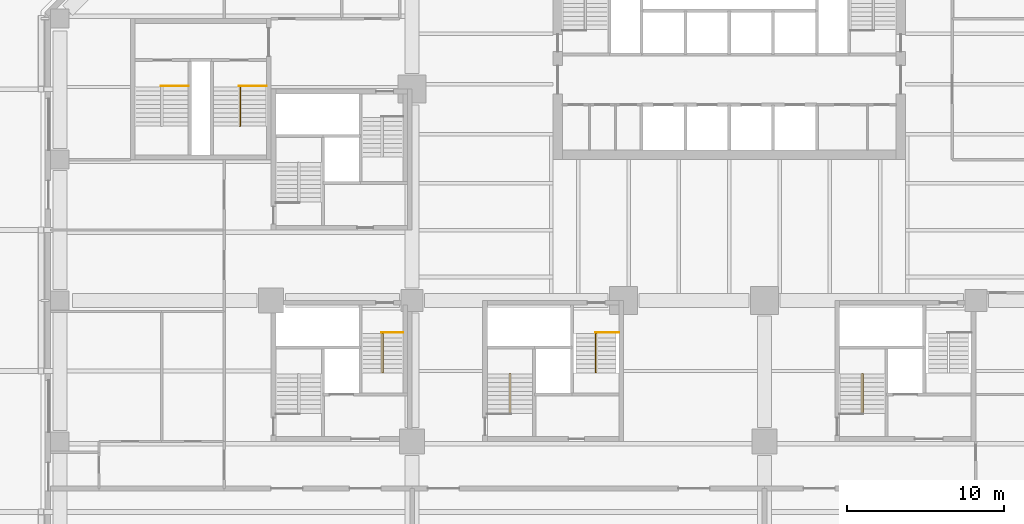
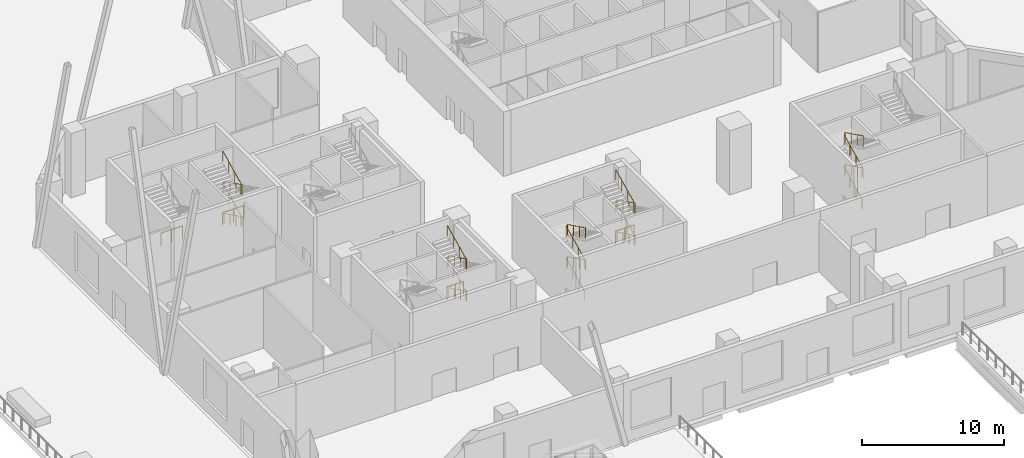
# One storey, part 31 of 33: 9 railings.
"""IFC4 building model written with IfcOpenShell, lengths in metres."""

from ifc_helpers import new_model, si_unit, direction, frame, origin, origin_2d, place, context, subcontext, project, spatial, circle, extrude, material, type_object, element, save


model = new_model("IFC4")

# Units and contexts
model_context = context("Model", 3, precision=1e-05, world=origin(), true_north=direction((0.0, 1.0)))
body_context = subcontext(model_context, "Body", "Model", "MODEL_VIEW")
ifc_project = project(units=[si_unit("LENGTHUNIT", "METRE"), si_unit("AREAUNIT", "SQUARE_METRE"), si_unit("VOLUMEUNIT", "CUBIC_METRE"), si_unit("PLANEANGLEUNIT", "RADIAN"), si_unit("MASSUNIT", "GRAM", prefix="KILO")], contexts=[model_context])

# Site, building, storey
site_placement = place(None, origin())
site = spatial("IfcSite", under=ifc_project, at=site_placement, CompositionType="ELEMENT")
building_placement = place(site_placement, origin())
building = spatial("IfcBuilding", under=site, at=building_placement, Name="Quoin Convention Tower", CompositionType="ELEMENT")
storey_placement = place(building_placement, frame((0.0, 0.0, 8.0)))
storey = spatial("IfcBuildingStorey", under=building, at=storey_placement, Name="L01", CompositionType="ELEMENT", Elevation=8.0)

# Railings
ifc_material = material(Name="Stainless steel", Category="steel")
railing_type_1 = type_object("IfcRailingType", Name="Stair handrail 900", PredefinedType="HANDRAIL", material=ifc_material)
railing_1_placement = place(storey_placement, frame((42.205078125, 33.300048828125, 0.137451171875)))
element("IfcRailing", 1, at=railing_1_placement, inside=storey, type_object=railing_type_1, Name="SD5 handrail 1", PredefinedType="HANDRAIL", context=body_context, shape_type="SweptSolid", body=[
    extrude(circle(Radius=0.02392578125, at=origin_2d()), frame((0.0, 0.0, 0.8759765625), z_axis=(0.0, 0.897604431175, 0.440801866075), x_axis=(-1.0, 0.0, 0.0)), (0.0, 0.0, 1.0), 2.807373046875),
    extrude(circle(Radius=0.02392578125, at=origin_2d()), frame((0.0, 2.52001953125, 2.11328125), z_axis=(0.547129183664, 0.0, 0.837048180443), x_axis=(0.0, 1.0, 0.0)), (0.0, 0.0, 1.0), 0.164306640625),
    extrude(circle(Radius=0.02392578125, at=origin_2d()), frame((0.08984375, 2.52001953125, 2.2509765625), z_axis=(0.0, -0.897604431175, 0.440801866075), x_axis=(1.0, 0.0, 0.0)), (0.0, 0.0, 1.0), 2.807373046875),
    extrude(circle(Radius=0.02392578125, at=origin_2d()), frame((0.08984375, 0.0, 3.48828125), z_axis=(-0.547129183664, 0.0, 0.837048180443), x_axis=(0.0, -1.0, 0.0)), (0.0, 0.0, 1.0), 0.164306640625),
    extrude(circle(Radius=0.02392578125, at=origin_2d()), frame((0.0, 0.0, 3.6259765625), z_axis=(0.0, 0.897604431175, 0.440801866075), x_axis=(-1.0, 0.0, 0.0)), (0.0, 0.0, 1.0), 2.807373046875),
    extrude(circle(Radius=0.02392578125, at=origin_2d()), frame((0.0, 2.52001953125, 4.86328125), z_axis=(0.547129183664, 0.0, 0.837048180443), x_axis=(0.0, 1.0, 0.0)), (0.0, 0.0, 1.0), 0.164306640625),
    extrude(circle(Radius=0.02392578125, at=origin_2d()), frame((0.08984375, 2.52001953125, 5.0009765625), z_axis=(0.0, -0.897604431175, 0.440801866075), x_axis=(1.0, 0.0, 0.0)), (0.0, 0.0, 1.0), 2.807373046875),
    extrude(circle(Radius=0.02099609375, at=origin_2d()), origin(), (0.0, 0.0, 1.0), 0.851806640625),
    extrude(circle(Radius=0.02099609375, at=origin_2d()), frame((0.0, 0.840087890625, 0.41259765625)), (0.0, 0.0, 1.0), 0.851806640625),
    extrude(circle(Radius=0.02099609375, at=origin_2d()), frame((0.0, 1.679931640625, 0.824951171875)), (0.0, 0.0, 1.0), 0.851806640625),
    extrude(circle(Radius=0.02099609375, at=origin_2d()), frame((0.0, 2.52001953125, 1.237548828125)), (0.0, 0.0, 1.0), 0.851806640625),
    extrude(circle(Radius=0.02099609375, at=origin_2d()), frame((0.08984375, 2.52001953125, 1.375)), (0.0, 0.0, 1.0), 0.851806640625),
    extrude(circle(Radius=0.02099609375, at=origin_2d()), frame((0.08984375, 1.679931640625, 1.78759765625)), (0.0, 0.0, 1.0), 0.851806640625),
    extrude(circle(Radius=0.02099609375, at=origin_2d()), frame((0.08984375, 0.840087890625, 2.199951171875)), (0.0, 0.0, 1.0), 0.851806640625),
    extrude(circle(Radius=0.02099609375, at=origin_2d()), frame((0.08984375, 0.0, 2.612548828125)), (0.0, 0.0, 1.0), 0.851806640625),
    extrude(circle(Radius=0.02099609375, at=origin_2d()), frame((0.0, 0.0, 2.75)), (0.0, 0.0, 1.0), 0.851806640625),
    extrude(circle(Radius=0.02099609375, at=origin_2d()), frame((0.0, 0.840087890625, 3.16259765625)), (0.0, 0.0, 1.0), 0.851806640625),
    extrude(circle(Radius=0.02099609375, at=origin_2d()), frame((0.0, 1.679931640625, 3.574951171875)), (0.0, 0.0, 1.0), 0.851806640625),
    extrude(circle(Radius=0.02099609375, at=origin_2d()), frame((0.0, 2.52001953125, 3.987548828125)), (0.0, 0.0, 1.0), 0.851806640625),
    extrude(circle(Radius=0.02099609375, at=origin_2d()), frame((0.08984375, 2.52001953125, 4.125)), (0.0, 0.0, 1.0), 0.851806640625),
    extrude(circle(Radius=0.02099609375, at=origin_2d()), frame((0.08984375, 1.679931640625, 4.53759765625)), (0.0, 0.0, 1.0), 0.851806640625),
    extrude(circle(Radius=0.02099609375, at=origin_2d()), frame((0.08984375, 0.840087890625, 4.949951171875)), (0.0, 0.0, 1.0), 0.851806640625),
    extrude(circle(Radius=0.02099609375, at=origin_2d()), frame((0.08984375, 0.0, 5.362548828125)), (0.0, 0.0, 1.0), 0.851806640625),
])
railing_2_placement = place(storey_placement, frame((47.794921875, 38.39990234375, 0.137451171875)))
element("IfcRailing", 2, at=railing_2_placement, inside=storey, type_object=railing_type_1, Name="SD6 handrail 1", PredefinedType="HANDRAIL", context=body_context, shape_type="SweptSolid", body=[
    extrude(circle(Radius=0.02392578125, at=origin_2d()), frame((0.0, 0.0, 0.8759765625), z_axis=(0.0, -0.897604431175, 0.440801866075), x_axis=(1.0, 0.0, 0.0)), (0.0, 0.0, 1.0), 2.807373046875),
    extrude(circle(Radius=0.02392578125, at=origin_2d()), frame((0.0, -2.52001953125, 2.11328125), z_axis=(-0.547129183664, 0.0, 0.837048180443), x_axis=(0.0, -1.0, 0.0)), (0.0, 0.0, 1.0), 0.164306640625),
    extrude(circle(Radius=0.02392578125, at=origin_2d()), frame((-0.08984375, -2.52001953125, 2.2509765625), z_axis=(0.0, 0.897604431175, 0.440801866075), x_axis=(-1.0, 0.0, 0.0)), (0.0, 0.0, 1.0), 2.807373046875),
    extrude(circle(Radius=0.02392578125, at=origin_2d()), frame((-0.08984375, 0.0, 3.48828125), z_axis=(0.547129183664, 0.0, 0.837048180443), x_axis=(0.0, 1.0, 0.0)), (0.0, 0.0, 1.0), 0.164306640625),
    extrude(circle(Radius=0.02392578125, at=origin_2d()), frame((0.0, 0.0, 3.6259765625), z_axis=(0.0, -0.897604431175, 0.440801866075), x_axis=(1.0, 0.0, 0.0)), (0.0, 0.0, 1.0), 2.807373046875),
    extrude(circle(Radius=0.02392578125, at=origin_2d()), frame((0.0, -2.52001953125, 4.86328125), z_axis=(-0.547129183664, 0.0, 0.837048180443), x_axis=(0.0, -1.0, 0.0)), (0.0, 0.0, 1.0), 0.164306640625),
    extrude(circle(Radius=0.02392578125, at=origin_2d()), frame((-0.08984375, -2.52001953125, 5.0009765625), z_axis=(0.0, 0.897604431175, 0.440801866075), x_axis=(-1.0, 0.0, 0.0)), (0.0, 0.0, 1.0), 2.807373046875),
    extrude(circle(Radius=0.02099609375, at=origin_2d()), origin(), (0.0, 0.0, 1.0), 0.851806640625),
    extrude(circle(Radius=0.02099609375, at=origin_2d()), frame((0.0, -0.840087890625, 0.41259765625)), (0.0, 0.0, 1.0), 0.851806640625),
    extrude(circle(Radius=0.02099609375, at=origin_2d()), frame((0.0, -1.679931640625, 0.824951171875)), (0.0, 0.0, 1.0), 0.851806640625),
    extrude(circle(Radius=0.02099609375, at=origin_2d()), frame((0.0, -2.52001953125, 1.237548828125)), (0.0, 0.0, 1.0), 0.851806640625),
    extrude(circle(Radius=0.02099609375, at=origin_2d()), frame((-0.08984375, -2.52001953125, 1.375)), (0.0, 0.0, 1.0), 0.851806640625),
    extrude(circle(Radius=0.02099609375, at=origin_2d()), frame((-0.08984375, -1.679931640625, 1.78759765625)), (0.0, 0.0, 1.0), 0.851806640625),
    extrude(circle(Radius=0.02099609375, at=origin_2d()), frame((-0.08984375, -0.840087890625, 2.199951171875)), (0.0, 0.0, 1.0), 0.851806640625),
    extrude(circle(Radius=0.02099609375, at=origin_2d()), frame((-0.08984375, 0.0, 2.612548828125)), (0.0, 0.0, 1.0), 0.851806640625),
    extrude(circle(Radius=0.02099609375, at=origin_2d()), frame((0.0, 0.0, 2.75)), (0.0, 0.0, 1.0), 0.851806640625),
    extrude(circle(Radius=0.02099609375, at=origin_2d()), frame((0.0, -0.840087890625, 3.16259765625)), (0.0, 0.0, 1.0), 0.851806640625),
    extrude(circle(Radius=0.02099609375, at=origin_2d()), frame((0.0, -1.679931640625, 3.574951171875)), (0.0, 0.0, 1.0), 0.851806640625),
    extrude(circle(Radius=0.02099609375, at=origin_2d()), frame((0.0, -2.52001953125, 3.987548828125)), (0.0, 0.0, 1.0), 0.851806640625),
    extrude(circle(Radius=0.02099609375, at=origin_2d()), frame((-0.08984375, -2.52001953125, 4.125)), (0.0, 0.0, 1.0), 0.851806640625),
    extrude(circle(Radius=0.02099609375, at=origin_2d()), frame((-0.08984375, -1.679931640625, 4.53759765625)), (0.0, 0.0, 1.0), 0.851806640625),
    extrude(circle(Radius=0.02099609375, at=origin_2d()), frame((-0.08984375, -0.840087890625, 4.949951171875)), (0.0, 0.0, 1.0), 0.851806640625),
    extrude(circle(Radius=0.02099609375, at=origin_2d()), frame((-0.08984375, 0.0, 5.362548828125)), (0.0, 0.0, 1.0), 0.851806640625),
])
railing_3_placement = place(storey_placement, frame((34.14501953125, 38.39990234375, 0.137451171875)))
element("IfcRailing", 3, at=railing_3_placement, inside=storey, type_object=railing_type_1, Name="SD8 handrail 1", PredefinedType="HANDRAIL", context=body_context, shape_type="SweptSolid", body=[
    extrude(circle(Radius=0.02392578125, at=origin_2d()), frame((0.0, 0.0, 0.8759765625), z_axis=(0.0, -0.897604431175, 0.440801866075), x_axis=(1.0, 0.0, 0.0)), (0.0, 0.0, 1.0), 2.807373046875),
    extrude(circle(Radius=0.02392578125, at=origin_2d()), frame((0.0, -2.52001953125, 2.11328125), z_axis=(-0.548169613923, 0.0, 0.836367188723), x_axis=(0.0, -1.0, 0.0)), (0.0, 0.0, 1.0), 0.164306640625),
    extrude(circle(Radius=0.02392578125, at=origin_2d()), frame((-0.090087890625, -2.52001953125, 2.2509765625), z_axis=(0.0, 0.897604431175, 0.440801866075), x_axis=(-1.0, 0.0, 0.0)), (0.0, 0.0, 1.0), 2.807373046875),
    extrude(circle(Radius=0.02392578125, at=origin_2d()), frame((-0.090087890625, 0.0, 3.48828125), z_axis=(0.548169613923, 0.0, 0.836367188723), x_axis=(0.0, 1.0, 0.0)), (0.0, 0.0, 1.0), 0.164306640625),
    extrude(circle(Radius=0.02392578125, at=origin_2d()), frame((0.0, 0.0, 3.6259765625), z_axis=(0.0, -0.897604431175, 0.440801866075), x_axis=(1.0, 0.0, 0.0)), (0.0, 0.0, 1.0), 2.807373046875),
    extrude(circle(Radius=0.02392578125, at=origin_2d()), frame((0.0, -2.52001953125, 4.86328125), z_axis=(-0.548169613923, 0.0, 0.836367188723), x_axis=(0.0, -1.0, 0.0)), (0.0, 0.0, 1.0), 0.164306640625),
    extrude(circle(Radius=0.02392578125, at=origin_2d()), frame((-0.090087890625, -2.52001953125, 5.0009765625), z_axis=(0.0, 0.897604431175, 0.440801866075), x_axis=(-1.0, 0.0, 0.0)), (0.0, 0.0, 1.0), 2.807373046875),
    extrude(circle(Radius=0.02099609375, at=origin_2d()), origin(), (0.0, 0.0, 1.0), 0.851806640625),
    extrude(circle(Radius=0.02099609375, at=origin_2d()), frame((0.0, -0.840087890625, 0.41259765625)), (0.0, 0.0, 1.0), 0.851806640625),
    extrude(circle(Radius=0.02099609375, at=origin_2d()), frame((0.0, -1.679931640625, 0.824951171875)), (0.0, 0.0, 1.0), 0.851806640625),
    extrude(circle(Radius=0.02099609375, at=origin_2d()), frame((0.0, -2.52001953125, 1.237548828125)), (0.0, 0.0, 1.0), 0.851806640625),
    extrude(circle(Radius=0.02099609375, at=origin_2d()), frame((-0.090087890625, -2.52001953125, 1.375)), (0.0, 0.0, 1.0), 0.851806640625),
    extrude(circle(Radius=0.02099609375, at=origin_2d()), frame((-0.090087890625, -1.679931640625, 1.78759765625)), (0.0, 0.0, 1.0), 0.851806640625),
    extrude(circle(Radius=0.02099609375, at=origin_2d()), frame((-0.090087890625, -0.840087890625, 2.199951171875)), (0.0, 0.0, 1.0), 0.851806640625),
    extrude(circle(Radius=0.02099609375, at=origin_2d()), frame((-0.090087890625, 0.0, 2.612548828125)), (0.0, 0.0, 1.0), 0.851806640625),
    extrude(circle(Radius=0.02099609375, at=origin_2d()), frame((0.0, 0.0, 2.75)), (0.0, 0.0, 1.0), 0.851806640625),
    extrude(circle(Radius=0.02099609375, at=origin_2d()), frame((0.0, -0.840087890625, 3.16259765625)), (0.0, 0.0, 1.0), 0.851806640625),
    extrude(circle(Radius=0.02099609375, at=origin_2d()), frame((0.0, -1.679931640625, 3.574951171875)), (0.0, 0.0, 1.0), 0.851806640625),
    extrude(circle(Radius=0.02099609375, at=origin_2d()), frame((0.0, -2.52001953125, 3.987548828125)), (0.0, 0.0, 1.0), 0.851806640625),
    extrude(circle(Radius=0.02099609375, at=origin_2d()), frame((-0.090087890625, -2.52001953125, 4.125)), (0.0, 0.0, 1.0), 0.851806640625),
    extrude(circle(Radius=0.02099609375, at=origin_2d()), frame((-0.090087890625, -1.679931640625, 4.53759765625)), (0.0, 0.0, 1.0), 0.851806640625),
    extrude(circle(Radius=0.02099609375, at=origin_2d()), frame((-0.090087890625, -0.840087890625, 4.949951171875)), (0.0, 0.0, 1.0), 0.851806640625),
    extrude(circle(Radius=0.02099609375, at=origin_2d()), frame((-0.090087890625, 0.0, 5.362548828125)), (0.0, 0.0, 1.0), 0.851806640625),
])
railing_4_placement = place(storey_placement, frame((64.705078125, 33.300048828125, 0.137451171875)))
element("IfcRailing", 4, at=railing_4_placement, inside=storey, type_object=railing_type_1, Name="SD9 handrail 1", PredefinedType="HANDRAIL", context=body_context, shape_type="SweptSolid", body=[
    extrude(circle(Radius=0.02392578125, at=origin_2d()), frame((0.0, 0.0, 0.8759765625), z_axis=(0.0, 0.897604431175, 0.440801866075), x_axis=(-1.0, 0.0, 0.0)), (0.0, 0.0, 1.0), 2.807373046875),
    extrude(circle(Radius=0.02392578125, at=origin_2d()), frame((0.0, 2.52001953125, 2.11328125), z_axis=(0.547129183664, 0.0, 0.837048180443), x_axis=(0.0, 1.0, 0.0)), (0.0, 0.0, 1.0), 0.164306640625),
    extrude(circle(Radius=0.02392578125, at=origin_2d()), frame((0.08984375, 2.52001953125, 2.2509765625), z_axis=(0.0, -0.897604431175, 0.440801866075), x_axis=(1.0, 0.0, 0.0)), (0.0, 0.0, 1.0), 2.807373046875),
    extrude(circle(Radius=0.02392578125, at=origin_2d()), frame((0.08984375, 0.0, 3.48828125), z_axis=(-0.547129183664, 0.0, 0.837048180443), x_axis=(0.0, -1.0, 0.0)), (0.0, 0.0, 1.0), 0.164306640625),
    extrude(circle(Radius=0.02392578125, at=origin_2d()), frame((0.0, 0.0, 3.6259765625), z_axis=(0.0, 0.897604431175, 0.440801866075), x_axis=(-1.0, 0.0, 0.0)), (0.0, 0.0, 1.0), 2.807373046875),
    extrude(circle(Radius=0.02392578125, at=origin_2d()), frame((0.0, 2.52001953125, 4.86328125), z_axis=(0.547129183664, 0.0, 0.837048180443), x_axis=(0.0, 1.0, 0.0)), (0.0, 0.0, 1.0), 0.164306640625),
    extrude(circle(Radius=0.02392578125, at=origin_2d()), frame((0.08984375, 2.52001953125, 5.0009765625), z_axis=(0.0, -0.897604431175, 0.440801866075), x_axis=(1.0, 0.0, 0.0)), (0.0, 0.0, 1.0), 2.807373046875),
    extrude(circle(Radius=0.02099609375, at=origin_2d()), origin(), (0.0, 0.0, 1.0), 0.851806640625),
    extrude(circle(Radius=0.02099609375, at=origin_2d()), frame((0.0, 0.840087890625, 0.41259765625)), (0.0, 0.0, 1.0), 0.851806640625),
    extrude(circle(Radius=0.02099609375, at=origin_2d()), frame((0.0, 1.679931640625, 0.824951171875)), (0.0, 0.0, 1.0), 0.851806640625),
    extrude(circle(Radius=0.02099609375, at=origin_2d()), frame((0.0, 2.52001953125, 1.237548828125)), (0.0, 0.0, 1.0), 0.851806640625),
    extrude(circle(Radius=0.02099609375, at=origin_2d()), frame((0.08984375, 2.52001953125, 1.375)), (0.0, 0.0, 1.0), 0.851806640625),
    extrude(circle(Radius=0.02099609375, at=origin_2d()), frame((0.08984375, 1.679931640625, 1.78759765625)), (0.0, 0.0, 1.0), 0.851806640625),
    extrude(circle(Radius=0.02099609375, at=origin_2d()), frame((0.08984375, 0.840087890625, 2.199951171875)), (0.0, 0.0, 1.0), 0.851806640625),
    extrude(circle(Radius=0.02099609375, at=origin_2d()), frame((0.08984375, 0.0, 2.612548828125)), (0.0, 0.0, 1.0), 0.851806640625),
    extrude(circle(Radius=0.02099609375, at=origin_2d()), frame((0.0, 0.0, 2.75)), (0.0, 0.0, 1.0), 0.851806640625),
    extrude(circle(Radius=0.02099609375, at=origin_2d()), frame((0.0, 0.840087890625, 3.16259765625)), (0.0, 0.0, 1.0), 0.851806640625),
    extrude(circle(Radius=0.02099609375, at=origin_2d()), frame((0.0, 1.679931640625, 3.574951171875)), (0.0, 0.0, 1.0), 0.851806640625),
    extrude(circle(Radius=0.02099609375, at=origin_2d()), frame((0.0, 2.52001953125, 3.987548828125)), (0.0, 0.0, 1.0), 0.851806640625),
    extrude(circle(Radius=0.02099609375, at=origin_2d()), frame((0.08984375, 2.52001953125, 4.125)), (0.0, 0.0, 1.0), 0.851806640625),
    extrude(circle(Radius=0.02099609375, at=origin_2d()), frame((0.08984375, 1.679931640625, 4.53759765625)), (0.0, 0.0, 1.0), 0.851806640625),
    extrude(circle(Radius=0.02099609375, at=origin_2d()), frame((0.08984375, 0.840087890625, 4.949951171875)), (0.0, 0.0, 1.0), 0.851806640625),
    extrude(circle(Radius=0.02099609375, at=origin_2d()), frame((0.08984375, 0.0, 5.362548828125)), (0.0, 0.0, 1.0), 0.851806640625),
])
railing_5_placement = place(storey_placement, frame((25.044921875, 54.14990234375, 0.137451171875)))
element("IfcRailing", 5, at=railing_5_placement, inside=storey, type_object=railing_type_1, Name="SD12 handrail 1", PredefinedType="HANDRAIL", context=body_context, shape_type="SweptSolid", body=[
    extrude(circle(Radius=0.02392578125, at=origin_2d()), frame((0.0, 0.0, 0.8759765625), z_axis=(0.0, -0.897604431175, 0.440801866075), x_axis=(1.0, 0.0, 0.0)), (0.0, 0.0, 1.0), 2.807373046875),
    extrude(circle(Radius=0.02392578125, at=origin_2d()), frame((0.0, -2.52001953125, 2.11328125), z_axis=(-0.547129183664, 0.0, 0.837048180443), x_axis=(0.0, -1.0, 0.0)), (0.0, 0.0, 1.0), 0.164306640625),
    extrude(circle(Radius=0.02392578125, at=origin_2d()), frame((-0.08984375, -2.52001953125, 2.2509765625), z_axis=(0.0, 0.897604431175, 0.440801866075), x_axis=(-1.0, 0.0, 0.0)), (0.0, 0.0, 1.0), 2.807373046875),
    extrude(circle(Radius=0.02392578125, at=origin_2d()), frame((-0.08984375, 0.0, 3.48828125), z_axis=(0.547129183664, 0.0, 0.837048180443), x_axis=(0.0, 1.0, 0.0)), (0.0, 0.0, 1.0), 0.164306640625),
    extrude(circle(Radius=0.02392578125, at=origin_2d()), frame((0.0, 0.0, 3.6259765625), z_axis=(0.0, -0.897604431175, 0.440801866075), x_axis=(1.0, 0.0, 0.0)), (0.0, 0.0, 1.0), 2.807373046875),
    extrude(circle(Radius=0.02392578125, at=origin_2d()), frame((0.0, -2.52001953125, 4.86328125), z_axis=(-0.547129183664, 0.0, 0.837048180443), x_axis=(0.0, -1.0, 0.0)), (0.0, 0.0, 1.0), 0.164306640625),
    extrude(circle(Radius=0.02392578125, at=origin_2d()), frame((-0.08984375, -2.52001953125, 5.0009765625), z_axis=(0.0, 0.897604431175, 0.440801866075), x_axis=(-1.0, 0.0, 0.0)), (0.0, 0.0, 1.0), 2.807373046875),
    extrude(circle(Radius=0.02099609375, at=origin_2d()), origin(), (0.0, 0.0, 1.0), 0.851806640625),
    extrude(circle(Radius=0.02099609375, at=origin_2d()), frame((0.0, -0.840087890625, 0.41259765625)), (0.0, 0.0, 1.0), 0.851806640625),
    extrude(circle(Radius=0.02099609375, at=origin_2d()), frame((0.0, -1.679931640625, 0.824951171875)), (0.0, 0.0, 1.0), 0.851806640625),
    extrude(circle(Radius=0.02099609375, at=origin_2d()), frame((0.0, -2.52001953125, 1.237548828125)), (0.0, 0.0, 1.0), 0.851806640625),
    extrude(circle(Radius=0.02099609375, at=origin_2d()), frame((-0.08984375, -2.52001953125, 1.375)), (0.0, 0.0, 1.0), 0.851806640625),
    extrude(circle(Radius=0.02099609375, at=origin_2d()), frame((-0.08984375, -1.679931640625, 1.78759765625)), (0.0, 0.0, 1.0), 0.851806640625),
    extrude(circle(Radius=0.02099609375, at=origin_2d()), frame((-0.08984375, -0.840087890625, 2.199951171875)), (0.0, 0.0, 1.0), 0.851806640625),
    extrude(circle(Radius=0.02099609375, at=origin_2d()), frame((-0.08984375, 0.0, 2.612548828125)), (0.0, 0.0, 1.0), 0.851806640625),
    extrude(circle(Radius=0.02099609375, at=origin_2d()), frame((0.0, 0.0, 2.75)), (0.0, 0.0, 1.0), 0.851806640625),
    extrude(circle(Radius=0.02099609375, at=origin_2d()), frame((0.0, -0.840087890625, 3.16259765625)), (0.0, 0.0, 1.0), 0.851806640625),
    extrude(circle(Radius=0.02099609375, at=origin_2d()), frame((0.0, -1.679931640625, 3.574951171875)), (0.0, 0.0, 1.0), 0.851806640625),
    extrude(circle(Radius=0.02099609375, at=origin_2d()), frame((0.0, -2.52001953125, 3.987548828125)), (0.0, 0.0, 1.0), 0.851806640625),
    extrude(circle(Radius=0.02099609375, at=origin_2d()), frame((-0.08984375, -2.52001953125, 4.125)), (0.0, 0.0, 1.0), 0.851806640625),
    extrude(circle(Radius=0.02099609375, at=origin_2d()), frame((-0.08984375, -1.679931640625, 4.53759765625)), (0.0, 0.0, 1.0), 0.851806640625),
    extrude(circle(Radius=0.02099609375, at=origin_2d()), frame((-0.08984375, -0.840087890625, 4.949951171875)), (0.0, 0.0, 1.0), 0.851806640625),
    extrude(circle(Radius=0.02099609375, at=origin_2d()), frame((-0.08984375, 0.0, 5.362548828125)), (0.0, 0.0, 1.0), 0.851806640625),
])
railing_type_2 = type_object("IfcRailingType", Name="Stair top guard 1100", PredefinedType="GUARDRAIL", material=ifc_material)
railing_6_placement = place(storey_placement, frame((49.199951171875, 38.449951171875, 0.0)))
element("IfcRailing", 6, at=railing_6_placement, inside=storey, type_object=railing_type_2, Name="SD6 top guard", PredefinedType="GUARDRAIL", context=body_context, shape_type="SweptSolid", body=[
    extrude(circle(Radius=0.02392578125, at=origin_2d()), frame((0.0, 0.0, 1.076171875), z_axis=(-1.0, 0.0, 0.0), x_axis=(0.0, -1.0, 0.0)), (0.0, 0.0, 1.0), 1.494873046875),
    extrude(circle(Radius=0.02099609375, at=origin_2d()), origin(), (0.0, 0.0, 1.0), 1.052001953125),
    extrude(circle(Radius=0.02099609375, at=origin_2d()), frame((-0.74755859375, 0.0, 0.0)), (0.0, 0.0, 1.0), 1.052001953125),
    extrude(circle(Radius=0.02099609375, at=origin_2d()), frame((-1.494873046875, 0.0, 0.0)), (0.0, 0.0, 1.0), 1.052001953125),
])
railing_7_placement = place(storey_placement, frame((35.39990234375, 38.449951171875, 0.0)))
element("IfcRailing", 7, at=railing_7_placement, inside=storey, type_object=railing_type_2, Name="SD8 top guard", PredefinedType="GUARDRAIL", context=body_context, shape_type="SweptSolid", body=[
    extrude(circle(Radius=0.02392578125, at=origin_2d()), frame((0.0, 0.0, 1.076171875), z_axis=(-1.0, 0.0, 0.0), x_axis=(0.0, -1.0, 0.0)), (0.0, 0.0, 1.0), 1.344970703125),
    extrude(circle(Radius=0.02099609375, at=origin_2d()), origin(), (0.0, 0.0, 1.0), 1.052001953125),
    extrude(circle(Radius=0.02099609375, at=origin_2d()), frame((-0.67236328125, 0.0, 0.0)), (0.0, 0.0, 1.0), 1.052001953125),
    extrude(circle(Radius=0.02099609375, at=origin_2d()), frame((-1.344970703125, 0.0, 0.0)), (0.0, 0.0, 1.0), 1.052001953125),
])
for number, where, name in (
    (8, (21.699951171875, 54.199951171875, 0.0), "SD11 top guard"),
    (9, (26.699951171875, 54.199951171875, 0.0), "SD12 top guard"),
):
    element("IfcRailing", number, at=place(storey_placement, frame(where)), inside=storey, type_object=railing_type_2, Name=name, PredefinedType="GUARDRAIL", context=body_context, shape_type="SweptSolid", body=[
        extrude(circle(Radius=0.02392578125, at=origin_2d()), frame((0.0, 0.0, 1.076171875), z_axis=(-1.0, 0.0, 0.0), x_axis=(0.0, -1.0, 0.0)), (0.0, 0.0, 1.0), 1.744873046875),
        extrude(circle(Radius=0.02099609375, at=origin_2d()), origin(), (0.0, 0.0, 1.0), 1.052001953125),
        extrude(circle(Radius=0.02099609375, at=origin_2d()), frame((-0.87255859375, 0.0, 0.0)), (0.0, 0.0, 1.0), 1.052001953125),
        extrude(circle(Radius=0.02099609375, at=origin_2d()), frame((-1.744873046875, 0.0, 0.0)), (0.0, 0.0, 1.0), 1.052001953125),
    ])

save(model, "model.ifc")
